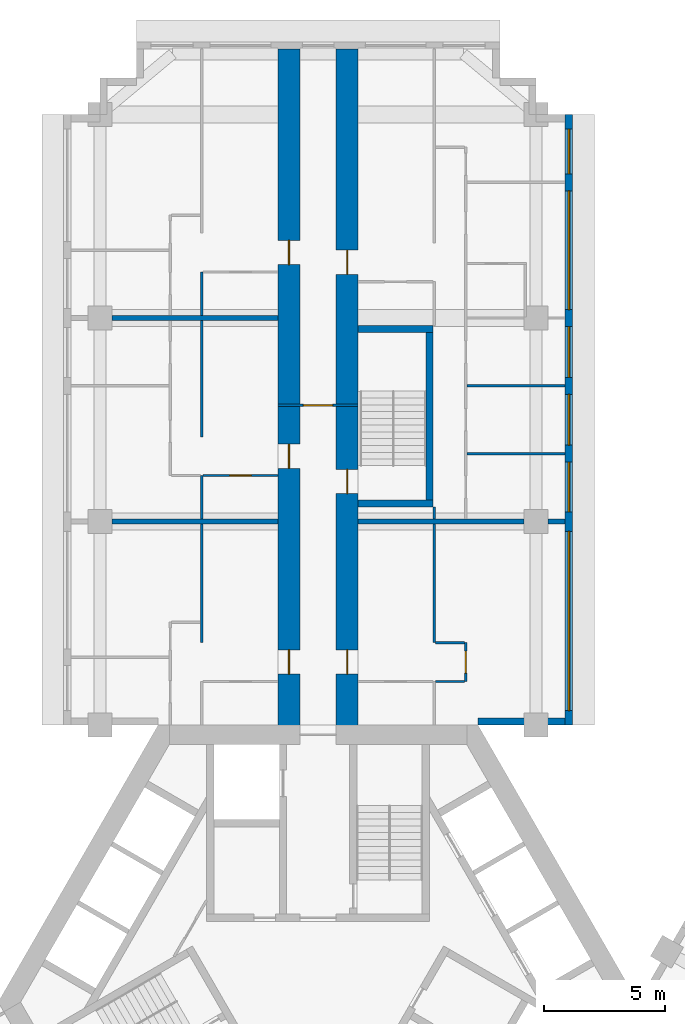
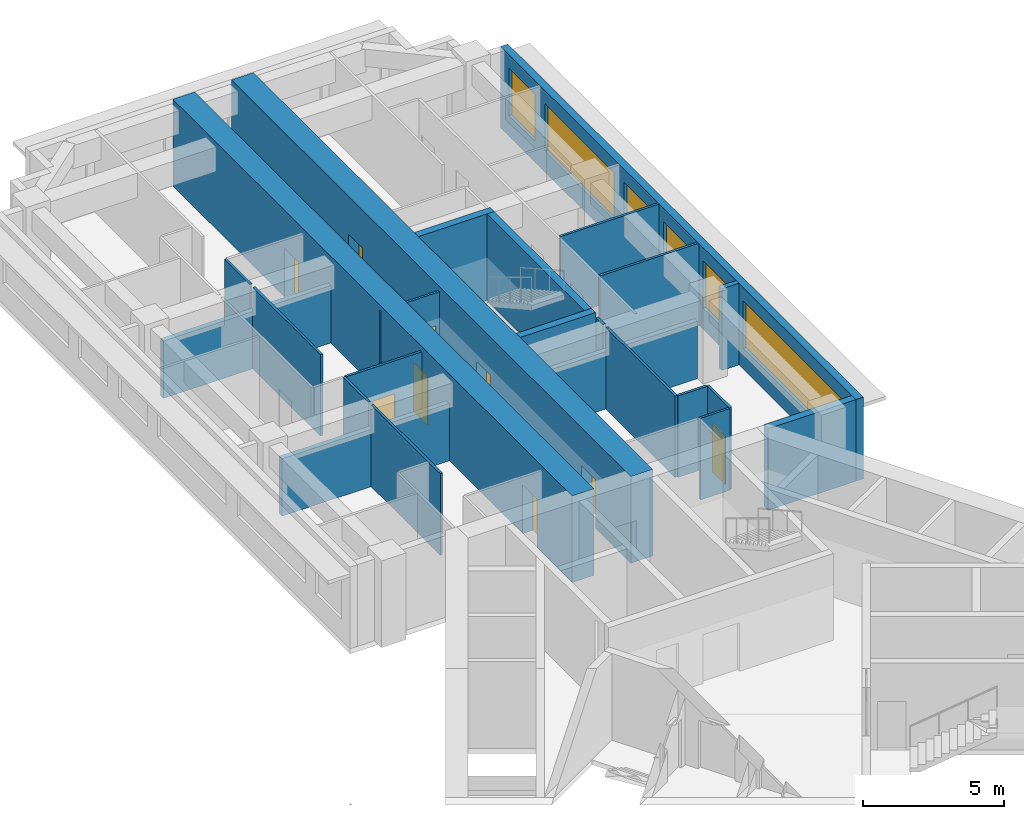
# One storey, part 9 of 12: 24 walls, 9 doors, 6 windows, 15 openings.
"""IFC4 building model written with IfcOpenShell, lengths in metres."""

import ifcopenshell
import ifcopenshell.guid

model = None  # the IFC model being written
_history = None  # IfcOwnerHistory: only IFC2X3 demands one
_inside = {}  # id of a spatial element -> (the spatial element, [elements in it])
_under = {}  # id of a project, library or spatial element -> (it, [spatial elements below it])
_declared = {}  # id of a project -> (the project, [libraries it declares])
_typed = {}  # id of a type object -> (the type object, [elements of that type])
_made_of = {}  # id of a material, layer set ... -> (it, [elements and type objects made of it])


def new_model(schema):
    """Start an empty IFC model of exactly this schema.

    Asked for "IFC4X3", IfcOpenShell would pick the latest addendum, in which some entities
    have other attributes; the version numbers below select the first issue.
    IFC2X3 requires an IfcOwnerHistory on every rooted entity: one is made here for all.
    """
    global model, _history
    if schema == "IFC4X3":
        model = ifcopenshell.file(schema_version=(4, 3, 0, 0))
    else:
        model = ifcopenshell.file(schema=schema)
    _inside.clear()
    _under.clear()
    _declared.clear()
    _typed.clear()
    _made_of.clear()
    _history = None
    if model.schema == "IFC2X3":
        org = make("IfcOrganization", Name="unknown")
        user = make(
            "IfcPersonAndOrganization",
            ThePerson=make("IfcPerson", FamilyName="unknown"),
            TheOrganization=org,
        )
        app = make(
            "IfcApplication",
            ApplicationDeveloper=org,
            Version="unknown",
            ApplicationFullName="unknown",
            ApplicationIdentifier="unknown",
        )
        _history = make(
            "IfcOwnerHistory",
            OwningUser=user,
            OwningApplication=app,
            ChangeAction="ADDED",
            CreationDate=0,
        )
    return model


def make(cls, **values):
    """One entity of the class cls with the attributes given. An attribute that is None is left unset."""
    return model.create_entity(
        cls, **{name: value for name, value in values.items() if value is not None}
    )


def rooted(cls, **values):
    """An entity with a GlobalId (a new one), such as an element, a storey or a relation."""
    return make(cls, GlobalId=ifcopenshell.guid.new(), OwnerHistory=_history, **values)


def si_unit(unit_type, name, prefix=None):
    """IfcSIUnit, for example si_unit("LENGTHUNIT", "METRE", prefix="MILLI")."""
    return make("IfcSIUnit", UnitType=unit_type, Prefix=prefix, Name=name)


def assignment(units):
    """IfcUnitAssignment: the units of a project."""
    return None if units is None else make("IfcUnitAssignment", Units=units)


def point(xyz):
    """IfcCartesianPoint."""
    return None if xyz is None else make("IfcCartesianPoint", Coordinates=xyz)


def direction(xyz):
    """IfcDirection."""
    return None if xyz is None else make("IfcDirection", DirectionRatios=xyz)


def frame(location, z_axis=None, x_axis=None):
    """IfcAxis2Placement3D, a coordinate frame: its origin and axes. An axis left out is left unset."""
    return make(
        "IfcAxis2Placement3D",
        Location=point(location),
        Axis=direction(z_axis),
        RefDirection=direction(x_axis),
    )


def frame_2d(location, x_axis=None):
    """IfcAxis2Placement2D, a coordinate frame in the plane: its origin and x axis."""
    return make(
        "IfcAxis2Placement2D", Location=point(location), RefDirection=direction(x_axis)
    )


def origin():
    """The frame at (0, 0, 0) with its axes left unset."""
    return frame((0.0, 0.0, 0.0))


def place(relative_to, where):
    """IfcLocalPlacement: puts the frame where relative to a parent placement (None: the world)."""
    return make(
        "IfcLocalPlacement", PlacementRelTo=relative_to, RelativePlacement=where
    )


def context(
    kind, dimensions, precision=None, world=None, true_north=None, identifier=None
):
    """IfcGeometricRepresentationContext, for example the 3D "Model" context."""
    return make(
        "IfcGeometricRepresentationContext",
        ContextIdentifier=identifier,
        ContextType=kind,
        CoordinateSpaceDimension=dimensions,
        Precision=precision,
        WorldCoordinateSystem=world,
        TrueNorth=true_north,
    )


def subcontext(parent, identifier, kind, view, scale=None):
    """IfcGeometricRepresentationSubContext, for example "Body" below "Model"."""
    return make(
        "IfcGeometricRepresentationSubContext",
        ContextIdentifier=identifier,
        ContextType=kind,
        ParentContext=parent,
        TargetScale=scale,
        TargetView=view,
    )


def project(units=None, contexts=None):
    """IfcProject with its units and contexts."""
    return rooted(
        "IfcProject",
        Name="project",
        RepresentationContexts=contexts,
        UnitsInContext=assignment(units),
    )


def spatial(cls, under=None, at=None, **own):
    """A site, building, storey or space (cls), placed at a placement, below another one or the project."""
    s = rooted(cls, ObjectPlacement=at, **own)
    if under is not None:
        _under.setdefault(under.id(), (under, []))[1].append(s)
    return s


def profile(cls, at=None, kind="AREA", **sizes):
    """A parametric profile (cls). Its sizes go by their IFC names, for example OverallWidth=200.0."""
    return make(cls, ProfileType=kind, Position=at, **sizes)


def rectangle(**sizes):
    """IfcRectangleProfileDef."""
    return profile("IfcRectangleProfileDef", **sizes)


def extrude(swept, where, along, depth):
    """IfcExtrudedAreaSolid: the profile swept, set in the frame where, extruded along a direction by depth."""
    return make(
        "IfcExtrudedAreaSolid",
        SweptArea=swept,
        Position=where,
        ExtrudedDirection=direction(along),
        Depth=depth,
    )


def shape(context_of_items, identifier, shape_type, items):
    """IfcShapeRepresentation: the items that make up one representation, for example the "Body"."""
    return make(
        "IfcShapeRepresentation",
        ContextOfItems=context_of_items,
        RepresentationIdentifier=identifier,
        RepresentationType=shape_type,
        Items=items,
    )


def material(Name=None, Category=None):
    """IfcMaterial."""
    return make("IfcMaterial", Name=Name, Category=Category)


def layer(
    of_material, thickness, ventilated=None, Name=None, Category=None, Priority=None
):
    """IfcMaterialLayer: one layer of a wall or slab, of a material (None: an air gap)."""
    return make(
        "IfcMaterialLayer",
        Material=of_material,
        LayerThickness=thickness,
        IsVentilated=ventilated,
        Name=Name,
        Category=Category,
        Priority=Priority,
    )


def layer_set(layers, Name=None):
    """IfcMaterialLayerSet."""
    return make("IfcMaterialLayerSet", MaterialLayers=layers, LayerSetName=Name)


def made_of(thing, what):
    """Note that an element or type object is made of a material, layer set ...; save() writes the relation."""
    if what is not None:
        _made_of.setdefault(what.id(), (what, []))[1].append(thing)
    return thing


def type_object(cls, material=None, **own):
    """A type object (cls), such as IfcWallType, which elements share."""
    return made_of(rooted(cls, **own), material)


def element(
    cls,
    number,
    at=None,
    inside=None,
    cuts=None,
    type_object=None,
    material=None,
    context=None,
    identifier="Body",
    shape_type=None,
    held_by="IfcProductDefinitionShape",
    body=None,
    shapes=None,
    **own,
):
    """One element of the class cls, such as IfcWall. Its Tag is "e" and its number.

    at: its placement. inside: the storey or other place that contains it. cuts: it is an
    opening in that element (IfcRelVoidsElement). A single representation is given by context,
    identifier, shape_type and body (its items); several are given by shapes. held_by: the class
    of the entity that holds the representations. save() writes the other relations.
    """
    e = rooted(cls, Tag="e%d" % number, ObjectPlacement=at, **own)
    if body is not None:
        shapes = [shape(context, identifier, shape_type, body)]
    if shapes is not None:
        e.Representation = make(held_by, Representations=shapes)
    if inside is not None:
        _inside.setdefault(inside.id(), (inside, []))[1].append(e)
    if cuts is not None:
        rooted(
            "IfcRelVoidsElement", RelatingBuildingElement=cuts, RelatedOpeningElement=e
        )
    if type_object is not None:
        _typed.setdefault(type_object.id(), (type_object, []))[1].append(e)
    return made_of(e, material)


def fill(opening, filler):
    """IfcRelFillsElement: the door or window that sits in an opening."""
    return rooted(
        "IfcRelFillsElement",
        RelatingOpeningElement=opening,
        RelatedBuildingElement=filler,
    )


def aggregate(whole, parts):
    """IfcRelAggregates: a whole, such as a stair, and the parts it consists of."""
    return rooted("IfcRelAggregates", RelatingObject=whole, RelatedObjects=parts)


def save(model, path):
    """Write the relations noted so far, then the file.

    IfcRelAggregates (storeys below a building ...), IfcRelContainedInSpatialStructure (elements
    in a storey), IfcRelDefinesByType, IfcRelAssociatesMaterial and IfcRelDeclares: one each for
    every whole, place, type object, material and project.
    """
    for whole, parts in _under.values():
        aggregate(whole, parts)
    for where, things in _inside.values():
        rooted(
            "IfcRelContainedInSpatialStructure",
            RelatedElements=things,
            RelatingStructure=where,
        )
    for kind, things in _typed.values():
        rooted("IfcRelDefinesByType", RelatedObjects=things, RelatingType=kind)
    for what, things in _made_of.values():
        rooted("IfcRelAssociatesMaterial", RelatedObjects=things, RelatingMaterial=what)
    for by, libraries in _declared.values():
        rooted("IfcRelDeclares", RelatingContext=by, RelatedDefinitions=libraries)
    model.write(path)


model = new_model("IFC4")

# Units and contexts
model_context = context("Model", 3, precision=1e-05, world=origin(), true_north=direction((0.0, 1.0)))
body_context = subcontext(model_context, "Body", "Model", "MODEL_VIEW")
ifc_project = project(units=[si_unit("LENGTHUNIT", "METRE"), si_unit("AREAUNIT", "SQUARE_METRE"), si_unit("VOLUMEUNIT", "CUBIC_METRE"), si_unit("PLANEANGLEUNIT", "RADIAN"), si_unit("MASSUNIT", "GRAM", prefix="KILO")], contexts=[model_context])

# Site, building, storey
site_placement = place(None, origin())
site = spatial("IfcSite", under=ifc_project, at=site_placement, CompositionType="ELEMENT")
building_placement = place(site_placement, origin())
building = spatial("IfcBuilding", under=site, at=building_placement, Name="Impinga Residences", CompositionType="ELEMENT")
storey_placement = place(building_placement, frame((0.0, 0.0, 162.25)))
storey = spatial("IfcBuildingStorey", under=building, at=storey_placement, Name="L40", CompositionType="ELEMENT", Elevation=162.25)

# Wall, openings, doors
ifc_material_1 = material(Name="Concrete C60/75", Category="concrete")
ifc_layer_1 = layer(ifc_material_1, 0.89990234375)
ifc_layer_set_1 = layer_set([ifc_layer_1], Name="Concrete C60/75")
wall_type_1 = type_object("IfcWallType", Name="BW2 corridor buttress wall, L24 to L44 900", PredefinedType="SHEAR", material=ifc_layer_set_1)
wall_1_placement = place(storey_placement, frame((-1.199951171875, 11.031494140625, 0.0), z_axis=(0.0, 0.0, 1.0), x_axis=(0.0, 1.0, 0.0)))
wall_1 = element("IfcWall", 1, at=wall_1_placement, inside=storey, type_object=wall_type_1, Name="Corridor wall BW2 NC L40", PredefinedType="SHEAR", context=body_context, shape_type="SweptSolid", body=[
    extrude(rectangle(XDim=28.300048828125, YDim=0.89990234375, at=frame_2d((14.14990234375, 0.0))), origin(), (0.0, 0.0, 1.0), 3.75),
])
opening_1_placement = place(wall_1_placement, frame((2.5, 0.0, 0.0)))
opening_1 = element("IfcOpeningElement", 2, at=opening_1_placement, cuts=wall_1, Name="Opening D1", PredefinedType="OPENING", context=body_context, shape_type="SweptSolid", body=[
    extrude(rectangle(XDim=1.0, YDim=2.10009765625, at=frame_2d((0.5, 1.050048828125))), frame((0.0, 0.4599609375, 0.0), z_axis=(0.0, -1.0, 0.0), x_axis=(1.0, 0.0, 0.0)), (0.0, 0.0, 1.0), 0.919921875),
])
opening_2_placement = place(wall_1_placement, frame((11.0, 0.0, 0.0)))
opening_2 = element("IfcOpeningElement", 3, at=opening_2_placement, cuts=wall_1, Name="Opening D1", PredefinedType="OPENING", context=body_context, shape_type="SweptSolid", body=[
    extrude(rectangle(XDim=1.0, YDim=2.10009765625, at=frame_2d((0.5, 1.050048828125))), frame((0.0, 0.4599609375, 0.0), z_axis=(0.0, -1.0, 0.0), x_axis=(1.0, 0.0, 0.0)), (0.0, 0.0, 1.0), 0.919921875),
])
opening_3_placement = place(wall_1_placement, frame((19.39990234375, 0.0, 0.0)))
opening_3 = element("IfcOpeningElement", 4, at=opening_3_placement, cuts=wall_1, Name="Opening D1", PredefinedType="OPENING", context=body_context, shape_type="SweptSolid", body=[
    extrude(rectangle(XDim=1.0, YDim=2.10009765625, at=frame_2d((0.5, 1.050048828125))), frame((0.0, 0.4599609375, 0.0), z_axis=(0.0, -1.0, 0.0), x_axis=(1.0, 0.0, 0.0)), (0.0, 0.0, 1.0), 0.919921875),
])
ifc_material_2 = material(Name="Timber door set", Category="wood")
door_type_1 = type_object("IfcDoorType", Name="D1 apartment entrance door 1000x2100", OperationType="SINGLE_SWING_LEFT", PredefinedType="DOOR", material=ifc_material_2)
door_1_placement = place(opening_1_placement, origin())
door_1 = element("IfcDoor", 5, at=door_1_placement, inside=storey, type_object=door_type_1, Name="Apartment L40-NA1 entrance", OperationType="SINGLE_SWING_LEFT", OverallHeight=2.10009765625, OverallWidth=1.0, PredefinedType="DOOR", context=body_context, shape_type="SweptSolid", body=[
    extrude(rectangle(XDim=1.0, YDim=2.10009765625, at=frame_2d((0.5, 1.050048828125))), frame((0.0, 0.02490234375, 0.0), z_axis=(0.0, -1.0, 0.0), x_axis=(1.0, 0.0, 0.0)), (0.0, 0.0, 1.0), 0.050048828125),
])
fill(opening_1, door_1)
door_2_placement = place(opening_2_placement, origin())
door_2 = element("IfcDoor", 6, at=door_2_placement, inside=storey, type_object=door_type_1, Name="Apartment L40-NA2 entrance", OperationType="SINGLE_SWING_LEFT", OverallHeight=2.10009765625, OverallWidth=1.0, PredefinedType="DOOR", context=body_context, shape_type="SweptSolid", body=[
    extrude(rectangle(XDim=1.0, YDim=2.10009765625, at=frame_2d((0.5, 1.050048828125))), frame((0.0, 0.02490234375, 0.0), z_axis=(0.0, -1.0, 0.0), x_axis=(1.0, 0.0, 0.0)), (0.0, 0.0, 1.0), 0.050048828125),
])
fill(opening_2, door_2)
door_3_placement = place(opening_3_placement, origin())
door_3 = element("IfcDoor", 7, at=door_3_placement, inside=storey, type_object=door_type_1, Name="Apartment L40-NA3 entrance", OperationType="SINGLE_SWING_RIGHT", OverallHeight=2.10009765625, OverallWidth=1.0, PredefinedType="DOOR", context=body_context, shape_type="SweptSolid", body=[
    extrude(rectangle(XDim=1.0, YDim=2.10009765625, at=frame_2d((0.5, 1.050048828125))), frame((0.0, 0.02490234375, 0.0), z_axis=(0.0, -1.0, 0.0), x_axis=(1.0, 0.0, 0.0)), (0.0, 0.0, 1.0), 0.050048828125),
])
fill(opening_3, door_3)

wall_2_placement = place(storey_placement, frame((1.199951171875, 11.031494140625, 0.0), z_axis=(0.0, 0.0, 1.0), x_axis=(0.0, 1.0, 0.0)))
wall_2 = element("IfcWall", 8, at=wall_2_placement, inside=storey, type_object=wall_type_1, Name="Corridor wall BW2 ND L40", PredefinedType="SHEAR", context=body_context, shape_type="SweptSolid", body=[
    extrude(rectangle(XDim=28.300048828125, YDim=0.89990234375, at=frame_2d((14.14990234375, 0.0))), origin(), (0.0, 0.0, 1.0), 3.75),
])
opening_4_placement = place(wall_2_placement, frame((9.949951171875, 0.0, 0.0)))
opening_4 = element("IfcOpeningElement", 9, at=opening_4_placement, cuts=wall_2, Name="Opening D5", PredefinedType="OPENING", context=body_context, shape_type="SweptSolid", body=[
    extrude(rectangle(XDim=1.0, YDim=2.10009765625, at=frame_2d((0.5, 1.050048828125))), frame((0.0, 0.4599609375, 0.0), z_axis=(0.0, -1.0, 0.0), x_axis=(1.0, 0.0, 0.0)), (0.0, 0.0, 1.0), 0.919921875),
])
opening_5_placement = place(wall_2_placement, frame((2.5, 0.0, 0.0)))
opening_5 = element("IfcOpeningElement", 10, at=opening_5_placement, cuts=wall_2, Name="Opening D1", PredefinedType="OPENING", context=body_context, shape_type="SweptSolid", body=[
    extrude(rectangle(XDim=1.0, YDim=2.10009765625, at=frame_2d((0.5, 1.050048828125))), frame((0.0, 0.4599609375, 0.0), z_axis=(0.0, -1.0, 0.0), x_axis=(1.0, 0.0, 0.0)), (0.0, 0.0, 1.0), 0.919921875),
])
opening_6_placement = place(wall_2_placement, frame((19.0, 0.0, 0.0)))
opening_6 = element("IfcOpeningElement", 11, at=opening_6_placement, cuts=wall_2, Name="Opening D1", PredefinedType="OPENING", context=body_context, shape_type="SweptSolid", body=[
    extrude(rectangle(XDim=1.0, YDim=2.10009765625, at=frame_2d((0.5, 1.050048828125))), frame((0.0, 0.4599609375, 0.0), z_axis=(0.0, -1.0, 0.0), x_axis=(1.0, 0.0, 0.0)), (0.0, 0.0, 1.0), 0.919921875),
])
door_4_placement = place(opening_5_placement, origin())
door_4 = element("IfcDoor", 12, at=door_4_placement, inside=storey, type_object=door_type_1, Name="Apartment L40-NF1 entrance", OperationType="SINGLE_SWING_LEFT", OverallHeight=2.10009765625, OverallWidth=1.0, PredefinedType="DOOR", context=body_context, shape_type="SweptSolid", body=[
    extrude(rectangle(XDim=1.0, YDim=2.10009765625, at=frame_2d((0.5, 1.050048828125))), frame((0.0, 0.02490234375, 0.0), z_axis=(0.0, -1.0, 0.0), x_axis=(1.0, 0.0, 0.0)), (0.0, 0.0, 1.0), 0.050048828125),
])
fill(opening_5, door_4)
door_5_placement = place(opening_6_placement, origin())
door_5 = element("IfcDoor", 13, at=door_5_placement, inside=storey, type_object=door_type_1, Name="Apartment L40-NF2 entrance", OperationType="SINGLE_SWING_RIGHT", OverallHeight=2.10009765625, OverallWidth=1.0, PredefinedType="DOOR", context=body_context, shape_type="SweptSolid", body=[
    extrude(rectangle(XDim=1.0, YDim=2.10009765625, at=frame_2d((0.5, 1.050048828125))), frame((0.0, 0.02490234375, 0.0), z_axis=(0.0, -1.0, 0.0), x_axis=(1.0, 0.0, 0.0)), (0.0, 0.0, 1.0), 0.050048828125),
])
fill(opening_6, door_5)
door_type_2 = type_object("IfcDoorType", Name="D5 stair door 1000x2100", OperationType="SINGLE_SWING_LEFT", PredefinedType="DOOR", material=ifc_material_2)
door_6_placement = place(opening_4_placement, origin())
door_6 = element("IfcDoor", 14, at=door_6_placement, inside=storey, type_object=door_type_2, Name="Wing stair door N", OperationType="SINGLE_SWING_LEFT", OverallHeight=2.10009765625, OverallWidth=1.0, PredefinedType="DOOR", context=body_context, shape_type="SweptSolid", body=[
    extrude(rectangle(XDim=1.0, YDim=2.10009765625, at=frame_2d((0.5, 1.050048828125))), frame((0.0, 0.02490234375, 0.0), z_axis=(0.0, -1.0, 0.0), x_axis=(1.0, 0.0, 0.0)), (0.0, 0.0, 1.0), 0.050048828125),
])
fill(opening_4, door_6)

# Wall, opening, door
ifc_material_3 = material(Name="Concrete blockwork", Category="masonry")
ifc_layer_2 = layer(ifc_material_3, 0.10009765625)
ifc_layer_set_2 = layer_set([ifc_layer_2], Name="CP1 core room partition, blockwork 100")
wall_type_2 = type_object("IfcWallType", Name="CP1 core room partition, blockwork 100", PredefinedType="PARTITIONING", material=ifc_layer_set_2)
wall_3_placement = place(storey_placement, frame((-1.64990234375, 24.631591796875, 0.0), z_axis=(0.0, 0.0, 1.0), x_axis=(1.0, 0.0, 0.0)))
wall_3 = element("IfcWall", 15, at=wall_3_placement, inside=storey, type_object=wall_type_2, Name="Core room partition, blockwork L40:N:PLB", PredefinedType="PARTITIONING", context=body_context, shape_type="SweptSolid", body=[
    extrude(rectangle(XDim=3.2998046875, YDim=0.10009765625, at=frame_2d((1.64990234375, 0.0))), origin(), (0.0, 0.0, 1.0), 3.530029296875),
])
opening_7_placement = place(wall_3_placement, frame((1.050048828125, 0.0, 0.0)))
opening_7 = element("IfcOpeningElement", 16, at=opening_7_placement, cuts=wall_3, Name="Opening D3", PredefinedType="OPENING", context=body_context, shape_type="SweptSolid", body=[
    extrude(rectangle(XDim=1.199951171875, YDim=2.10009765625, at=frame_2d((0.60009765625, 1.050048828125))), frame((0.0, 0.06005859375, 0.0), z_axis=(0.0, -1.0, 0.0), x_axis=(1.0, 0.0, 0.0)), (0.0, 0.0, 1.0), 0.1201171875),
])
door_type_3 = type_object("IfcDoorType", Name="D3 room door, leaf and a half 1200x2100", OperationType="DOUBLE_SWING_LEFT", PredefinedType="DOOR", material=ifc_material_2)
door_7_placement = place(opening_7_placement, origin())
door_7 = element("IfcDoor", 17, at=door_7_placement, inside=storey, type_object=door_type_3, Name="Private lobby door N", OperationType="DOUBLE_SWING_LEFT", OverallHeight=2.10009765625, OverallWidth=1.199951171875, PredefinedType="DOOR", context=body_context, shape_type="SweptSolid", body=[
    extrude(rectangle(XDim=1.199951171875, YDim=2.10009765625, at=frame_2d((0.60009765625, 1.050048828125))), frame((0.0, 0.02490234375, 0.0), z_axis=(0.0, -1.0, 0.0), x_axis=(1.0, 0.0, 0.0)), (0.0, 0.0, 1.0), 0.050048828125),
])
fill(opening_7, door_7)

# Wall, openings, windows
ifc_material_4 = material(Name="Terracotta rainscreen on blockwork", Category="masonry")
ifc_layer_3 = layer(ifc_material_4, 0.300048828125)
ifc_layer_set_3 = layer_set([ifc_layer_3], Name="EW1 external wall, terracotta rainscreen on blockwork 300")
wall_type_3 = type_object("IfcWallType", Name="EW1 external wall, terracotta rainscreen on blockwork 300", PredefinedType="SOLIDWALL", material=ifc_layer_set_3)
wall_4_placement = place(storey_placement, frame((10.35009765625, 36.631591796875, 0.0), z_axis=(0.0, 0.0, 1.0), x_axis=(0.0, -1.0, 0.0)))
wall_4 = element("IfcWall", 18, at=wall_4_placement, inside=storey, type_object=wall_type_3, Name="External wall EW1 L40", PredefinedType="SOLIDWALL", context=body_context, shape_type="SweptSolid", body=[
    extrude(rectangle(XDim=25.199951171875, YDim=0.300048828125, at=frame_2d((12.60009765625, 0.0))), origin(), (0.0, 0.0, 1.0), 3.530029296875),
])
opening_8_placement = place(wall_4_placement, frame((0.60009765625, 0.0, 0.89990234375)))
opening_8 = element("IfcOpeningElement", 19, at=opening_8_placement, cuts=wall_4, Name="Opening W15", PredefinedType="OPENING", context=body_context, shape_type="SweptSolid", body=[
    extrude(rectangle(XDim=1.85009765625, YDim=2.050048828125, at=frame_2d((0.925048828125, 1.02490234375))), frame((0.0, 0.159912109375, 0.0), z_axis=(0.0, -1.0, 0.0), x_axis=(1.0, 0.0, 0.0)), (0.0, 0.0, 1.0), 0.320068359375),
])
opening_9_placement = place(wall_4_placement, frame((3.14990234375, 0.0, 0.89990234375)))
opening_9 = element("IfcOpeningElement", 20, at=opening_9_placement, cuts=wall_4, Name="Opening W16", PredefinedType="OPENING", context=body_context, shape_type="SweptSolid", body=[
    extrude(rectangle(XDim=4.89990234375, YDim=2.050048828125, at=frame_2d((2.449951171875, 1.02490234375))), frame((0.0, 0.159912109375, 0.0), z_axis=(0.0, -1.0, 0.0), x_axis=(1.0, 0.0, 0.0)), (0.0, 0.0, 1.0), 0.320068359375),
])
opening_10_placement = place(wall_4_placement, frame((8.75, 0.0, 0.89990234375)))
opening_10 = element("IfcOpeningElement", 21, at=opening_10_placement, cuts=wall_4, Name="Opening W9", PredefinedType="OPENING", context=body_context, shape_type="SweptSolid", body=[
    extrude(rectangle(XDim=2.10009765625, YDim=2.050048828125, at=frame_2d((1.050048828125, 1.02490234375))), frame((0.0, 0.159912109375, 0.0), z_axis=(0.0, -1.0, 0.0), x_axis=(1.0, 0.0, 0.0)), (0.0, 0.0, 1.0), 0.320068359375),
])
opening_11_placement = place(wall_4_placement, frame((11.550048828125, 0.0, 0.89990234375)))
opening_11 = element("IfcOpeningElement", 22, at=opening_11_placement, cuts=wall_4, Name="Opening W9", PredefinedType="OPENING", context=body_context, shape_type="SweptSolid", body=[
    extrude(rectangle(XDim=2.10009765625, YDim=2.050048828125, at=frame_2d((1.050048828125, 1.02490234375))), frame((0.0, 0.159912109375, 0.0), z_axis=(0.0, -1.0, 0.0), x_axis=(1.0, 0.0, 0.0)), (0.0, 0.0, 1.0), 0.320068359375),
])
opening_12_placement = place(wall_4_placement, frame((14.35009765625, 0.0, 0.89990234375)))
opening_12 = element("IfcOpeningElement", 23, at=opening_12_placement, cuts=wall_4, Name="Opening W14", PredefinedType="OPENING", context=body_context, shape_type="SweptSolid", body=[
    extrude(rectangle(XDim=2.050048828125, YDim=2.050048828125, at=frame_2d((1.02490234375, 1.02490234375))), frame((0.0, 0.159912109375, 0.0), z_axis=(0.0, -1.0, 0.0), x_axis=(1.0, 0.0, 0.0)), (0.0, 0.0, 1.0), 0.320068359375),
])
opening_13_placement = place(wall_4_placement, frame((17.199951171875, 0.0, 0.89990234375)))
opening_13 = element("IfcOpeningElement", 24, at=opening_13_placement, cuts=wall_4, Name="Opening W12", PredefinedType="OPENING", context=body_context, shape_type="SweptSolid", body=[
    extrude(rectangle(XDim=7.39990234375, YDim=2.050048828125, at=frame_2d((3.699951171875, 1.02490234375))), frame((0.0, 0.159912109375, 0.0), z_axis=(0.0, -1.0, 0.0), x_axis=(1.0, 0.0, 0.0)), (0.0, 0.0, 1.0), 0.320068359375),
])
ifc_material_5 = material(Name="Aluminium window, clear double glazing", Category="aluminium")
window_type_1 = type_object("IfcWindowType", Name="W12 ribbon window 7400x2050", PartitioningType="SINGLE_PANEL", PredefinedType="WINDOW", material=ifc_material_5)
window_1_placement = place(opening_13_placement, origin())
window_1 = element("IfcWindow", 25, at=window_1_placement, inside=storey, type_object=window_type_1, Name="Window L40", OverallHeight=2.050048828125, OverallWidth=7.39990234375, PartitioningType="SINGLE_PANEL", PredefinedType="WINDOW", context=body_context, shape_type="SweptSolid", body=[
    extrude(rectangle(XDim=7.39990234375, YDim=2.050048828125, at=frame_2d((3.699951171875, 1.02490234375))), frame((0.0, 0.030029296875, 0.0), z_axis=(0.0, -1.0, 0.0), x_axis=(1.0, 0.0, 0.0)), (0.0, 0.0, 1.0), 0.06005859375),
])
fill(opening_13, window_1)
window_type_2 = type_object("IfcWindowType", Name="W14 ribbon window 2050x2050", PartitioningType="SINGLE_PANEL", PredefinedType="WINDOW", material=ifc_material_5)
window_2_placement = place(opening_12_placement, origin())
window_2 = element("IfcWindow", 26, at=window_2_placement, inside=storey, type_object=window_type_2, Name="Window L40", OverallHeight=2.050048828125, OverallWidth=2.050048828125, PartitioningType="SINGLE_PANEL", PredefinedType="WINDOW", context=body_context, shape_type="SweptSolid", body=[
    extrude(rectangle(XDim=2.050048828125, YDim=2.050048828125, at=frame_2d((1.02490234375, 1.02490234375))), frame((0.0, 0.030029296875, 0.0), z_axis=(0.0, -1.0, 0.0), x_axis=(1.0, 0.0, 0.0)), (0.0, 0.0, 1.0), 0.06005859375),
])
fill(opening_12, window_2)
window_type_3 = type_object("IfcWindowType", Name="W15 ribbon window 1850x2050", PartitioningType="SINGLE_PANEL", PredefinedType="WINDOW", material=ifc_material_5)
window_3_placement = place(opening_8_placement, origin())
window_3 = element("IfcWindow", 27, at=window_3_placement, inside=storey, type_object=window_type_3, Name="Window L40", OverallHeight=2.050048828125, OverallWidth=1.85009765625, PartitioningType="SINGLE_PANEL", PredefinedType="WINDOW", context=body_context, shape_type="SweptSolid", body=[
    extrude(rectangle(XDim=1.85009765625, YDim=2.050048828125, at=frame_2d((0.925048828125, 1.02490234375))), frame((0.0, 0.030029296875, 0.0), z_axis=(0.0, -1.0, 0.0), x_axis=(1.0, 0.0, 0.0)), (0.0, 0.0, 1.0), 0.06005859375),
])
fill(opening_8, window_3)
window_type_4 = type_object("IfcWindowType", Name="W16 ribbon window 4900x2050", PartitioningType="SINGLE_PANEL", PredefinedType="WINDOW", material=ifc_material_5)
window_4_placement = place(opening_9_placement, origin())
window_4 = element("IfcWindow", 28, at=window_4_placement, inside=storey, type_object=window_type_4, Name="Window L40", OverallHeight=2.050048828125, OverallWidth=4.89990234375, PartitioningType="SINGLE_PANEL", PredefinedType="WINDOW", context=body_context, shape_type="SweptSolid", body=[
    extrude(rectangle(XDim=4.89990234375, YDim=2.050048828125, at=frame_2d((2.449951171875, 1.02490234375))), frame((0.0, 0.030029296875, 0.0), z_axis=(0.0, -1.0, 0.0), x_axis=(1.0, 0.0, 0.0)), (0.0, 0.0, 1.0), 0.06005859375),
])
fill(opening_9, window_4)
window_type_5 = type_object("IfcWindowType", Name="W9 ribbon window 2100x2050", PartitioningType="SINGLE_PANEL", PredefinedType="WINDOW", material=ifc_material_5)
window_5_placement = place(opening_10_placement, origin())
window_5 = element("IfcWindow", 29, at=window_5_placement, inside=storey, type_object=window_type_5, Name="Window L40", OverallHeight=2.050048828125, OverallWidth=2.10009765625, PartitioningType="SINGLE_PANEL", PredefinedType="WINDOW", context=body_context, shape_type="SweptSolid", body=[
    extrude(rectangle(XDim=2.10009765625, YDim=2.050048828125, at=frame_2d((1.050048828125, 1.02490234375))), frame((0.0, 0.030029296875, 0.0), z_axis=(0.0, -1.0, 0.0), x_axis=(1.0, 0.0, 0.0)), (0.0, 0.0, 1.0), 0.06005859375),
])
fill(opening_10, window_5)
window_6_placement = place(opening_11_placement, origin())
window_6 = element("IfcWindow", 30, at=window_6_placement, inside=storey, type_object=window_type_5, Name="Window L40", OverallHeight=2.050048828125, OverallWidth=2.10009765625, PartitioningType="SINGLE_PANEL", PredefinedType="WINDOW", context=body_context, shape_type="SweptSolid", body=[
    extrude(rectangle(XDim=2.10009765625, YDim=2.050048828125, at=frame_2d((1.050048828125, 1.02490234375))), frame((0.0, 0.030029296875, 0.0), z_axis=(0.0, -1.0, 0.0), x_axis=(1.0, 0.0, 0.0)), (0.0, 0.0, 1.0), 0.06005859375),
])
fill(opening_11, window_6)

# Walls
wall_5_placement = place(storey_placement, frame((10.199951171875, 11.58154296875, 0.0), z_axis=(0.0, 0.0, 1.0), x_axis=(-1.0, 0.0, 0.0)))
element("IfcWall", 31, at=wall_5_placement, inside=storey, type_object=wall_type_3, Name="External wall EW1 L40", PredefinedType="SOLIDWALL", context=body_context, shape_type="SweptSolid", body=[
    extrude(rectangle(XDim=3.599853515625, YDim=0.300048828125, at=frame_2d((1.7998046875, 0.0))), origin(), (0.0, 0.0, 1.0), 3.530029296875),
])
ifc_material_6 = material(Name="Gypsum board on steel studs", Category="steel")
ifc_layer_4 = layer(ifc_material_6, 0.10009765625)
ifc_layer_set_4 = layer_set([ifc_layer_4], Name="Gypsum board on steel studs")
wall_type_4 = type_object("IfcWallType", Name="IP1 partition 100", PredefinedType="PARTITIONING", material=ifc_layer_set_4)
wall_6_placement = place(storey_placement, frame((-4.800048828125, 14.83154296875, 0.0), z_axis=(0.0, 0.0, 1.0), x_axis=(0.0, 1.0, 0.0)))
element("IfcWall", 32, at=wall_6_placement, inside=storey, type_object=wall_type_4, Name="Partition L40-NA1:DIV1", PredefinedType="PARTITIONING", context=body_context, shape_type="SweptSolid", body=[
    extrude(rectangle(XDim=4.89990234375, YDim=0.10009765625, at=frame_2d((2.449951171875, 0.0))), origin(), (0.0, 0.0, 1.0), 3.530029296875),
])
wall_7_placement = place(storey_placement, frame((-4.800048828125, 19.931640625, 0.0), z_axis=(0.0, 0.0, 1.0), x_axis=(0.0, 1.0, 0.0)))
element("IfcWall", 33, at=wall_7_placement, inside=storey, type_object=wall_type_4, Name="Partition L40-NA2:DIV0", PredefinedType="PARTITIONING", context=body_context, shape_type="SweptSolid", body=[
    extrude(rectangle(XDim=1.7998046875, YDim=0.10009765625, at=frame_2d((0.89990234375, 0.0))), origin(), (0.0, 0.0, 1.0), 3.530029296875),
])
wall_8_placement = place(storey_placement, frame((-4.800048828125, 23.33154296875, 0.0), z_axis=(0.0, 0.0, 1.0), x_axis=(0.0, 1.0, 0.0)))
element("IfcWall", 34, at=wall_8_placement, inside=storey, type_object=wall_type_4, Name="Partition L40-NA2:DIV1", PredefinedType="PARTITIONING", context=body_context, shape_type="SweptSolid", body=[
    extrude(rectangle(XDim=4.800048828125, YDim=0.10009765625, at=frame_2d((2.39990234375, 0.0))), origin(), (0.0, 0.0, 1.0), 3.530029296875),
])

# Wall, opening, door
wall_9_placement = place(storey_placement, frame((-1.64990234375, 21.7314453125, 0.0), z_axis=(0.0, 0.0, 1.0), x_axis=(-1.0, 0.0, 0.0)))
wall_9 = element("IfcWall", 35, at=wall_9_placement, inside=storey, type_object=wall_type_4, Name="Partition L40-NA2:IB1", PredefinedType="PARTITIONING", context=body_context, shape_type="SweptSolid", body=[
    extrude(rectangle(XDim=3.10009765625, YDim=0.10009765625, at=frame_2d((1.550048828125, 0.0))), origin(), (0.0, 0.0, 1.0), 3.530029296875),
])
opening_14_placement = place(wall_9_placement, frame((1.10009765625, 0.0, 0.0)))
opening_14 = element("IfcOpeningElement", 36, at=opening_14_placement, cuts=wall_9, Name="Opening D2", PredefinedType="OPENING", context=body_context, shape_type="SweptSolid", body=[
    extrude(rectangle(XDim=0.89990234375, YDim=2.10009765625, at=frame_2d((0.449951171875, 1.050048828125))), frame((0.0, 0.06005859375, 0.0), z_axis=(0.0, -1.0, 0.0), x_axis=(1.0, 0.0, 0.0)), (0.0, 0.0, 1.0), 0.1201171875),
])
door_type_4 = type_object("IfcDoorType", Name="D2 internal door 900x2100", OperationType="SINGLE_SWING_LEFT", PredefinedType="DOOR", material=ifc_material_2)
door_8_placement = place(opening_14_placement, origin())
door_8 = element("IfcDoor", 37, at=door_8_placement, inside=storey, type_object=door_type_4, Name="Apartment L40-NA2 bathroom door", OperationType="SINGLE_SWING_LEFT", OverallHeight=2.10009765625, OverallWidth=0.89990234375, PredefinedType="DOOR", context=body_context, shape_type="SweptSolid", body=[
    extrude(rectangle(XDim=0.89990234375, YDim=2.10009765625, at=frame_2d((0.449951171875, 1.050048828125))), frame((0.0, 0.02490234375, 0.0), z_axis=(0.0, -1.0, 0.0), x_axis=(1.0, 0.0, 0.0)), (0.0, 0.0, 1.0), 0.050048828125),
])
fill(opening_14, door_8)

# Walls
wall_10_placement = place(storey_placement, frame((-4.800048828125, 28.33154296875, 0.0), z_axis=(0.0, 0.0, 1.0), x_axis=(0.0, 1.0, 0.0)))
element("IfcWall", 38, at=wall_10_placement, inside=storey, type_object=wall_type_4, Name="Partition L40-NA3:DIV0", PredefinedType="PARTITIONING", context=body_context, shape_type="SweptSolid", body=[
    extrude(rectangle(XDim=1.800048828125, YDim=0.10009765625, at=frame_2d((0.89990234375, 0.0))), origin(), (0.0, 0.0, 1.0), 3.530029296875),
])
wall_11_placement = place(storey_placement, frame((4.800048828125, 14.83154296875, 0.0), z_axis=(0.0, 0.0, 1.0), x_axis=(0.0, 1.0, 0.0)))
element("IfcWall", 39, at=wall_11_placement, inside=storey, type_object=wall_type_4, Name="Partition L40-NF1:DIV1", PredefinedType="PARTITIONING", context=body_context, shape_type="SweptSolid", body=[
    extrude(rectangle(XDim=4.89990234375, YDim=0.10009765625, at=frame_2d((2.449951171875, 0.0))), origin(), (0.0, 0.0, 1.0), 3.530029296875),
])

# Wall, opening, door
wall_12_placement = place(storey_placement, frame((6.10009765625, 13.2314453125, 0.0), z_axis=(0.0, 0.0, 1.0), x_axis=(0.0, 1.0, 0.0)))
wall_12 = element("IfcWall", 40, at=wall_12_placement, inside=storey, type_object=wall_type_4, Name="Partition L40-NF1:STRIP", PredefinedType="PARTITIONING", context=body_context, shape_type="SweptSolid", body=[
    extrude(rectangle(XDim=1.60009765625, YDim=0.10009765625, at=frame_2d((0.800048828125, 0.0))), origin(), (0.0, 0.0, 1.0), 3.530029296875),
])
opening_15_placement = place(wall_12_placement, frame((0.35009765625, 0.0, 0.0)))
opening_15 = element("IfcOpeningElement", 41, at=opening_15_placement, cuts=wall_12, Name="Opening D2", PredefinedType="OPENING", context=body_context, shape_type="SweptSolid", body=[
    extrude(rectangle(XDim=0.89990234375, YDim=2.10009765625, at=frame_2d((0.449951171875, 1.050048828125))), frame((0.0, 0.06005859375, 0.0), z_axis=(0.0, -1.0, 0.0), x_axis=(1.0, 0.0, 0.0)), (0.0, 0.0, 1.0), 0.1201171875),
])
door_9_placement = place(opening_15_placement, origin())
door_9 = element("IfcDoor", 42, at=door_9_placement, inside=storey, type_object=door_type_4, Name="Apartment L40-NF1 room door", OperationType="SINGLE_SWING_LEFT", OverallHeight=2.10009765625, OverallWidth=0.89990234375, PredefinedType="DOOR", context=body_context, shape_type="SweptSolid", body=[
    extrude(rectangle(XDim=0.89990234375, YDim=2.10009765625, at=frame_2d((0.449951171875, 1.050048828125))), frame((0.0, 0.02490234375, 0.0), z_axis=(0.0, -1.0, 0.0), x_axis=(1.0, 0.0, 0.0)), (0.0, 0.0, 1.0), 0.050048828125),
])
fill(opening_15, door_9)

# Walls
for number, where, z_axis, x_axis, name in (
    (43, (4.85009765625, 13.2314453125, 0.0), (0.0, 0.0, 1.0), (1.0, 0.0, 0.0), "Partition L40-NF1:SE0"),
    (44, (4.85009765625, 14.83154296875, 0.0), (0.0, 0.0, 1.0), (1.0, 0.0, 0.0), "Partition L40-NF1:SE1"),
):
    element("IfcWall", number, at=place(storey_placement, frame(where, z_axis=z_axis, x_axis=x_axis)), inside=storey, type_object=wall_type_4, Name=name, PredefinedType="PARTITIONING", context=body_context, shape_type="SweptSolid", body=[
        extrude(rectangle(XDim=1.199951171875, YDim=0.10009765625, at=frame_2d((0.60009765625, 0.0))), origin(), (0.0, 0.0, 1.0), 3.530029296875),
    ])
wall_13_placement = place(storey_placement, frame((4.800048828125, 19.931640625, 0.0), z_axis=(0.0, 0.0, 1.0), x_axis=(0.0, 1.0, 0.0)))
element("IfcWall", 45, at=wall_13_placement, inside=storey, type_object=wall_type_4, Name="Partition L40-NF2:DIV0", PredefinedType="PARTITIONING", context=body_context, shape_type="SweptSolid", body=[
    extrude(rectangle(XDim=0.5, YDim=0.10009765625, at=frame_2d((0.25, 0.0))), origin(), (0.0, 0.0, 1.0), 3.530029296875),
])
for number, where, z_axis, x_axis, name in (
    (46, (6.14990234375, 22.631591796875, 0.0), (0.0, 0.0, 1.0), (1.0, 0.0, 0.0), "Partition L40-NF2:OB1"),
    (47, (6.14990234375, 25.431640625, 0.0), (0.0, 0.0, 1.0), (1.0, 0.0, 0.0), "Partition L40-NF2:OB2"),
):
    element("IfcWall", number, at=place(storey_placement, frame(where, z_axis=z_axis, x_axis=x_axis)), inside=storey, type_object=wall_type_4, Name=name, PredefinedType="PARTITIONING", context=body_context, shape_type="SweptSolid", body=[
        extrude(rectangle(XDim=4.050048828125, YDim=0.10009765625, at=frame_2d((2.02490234375, 0.0))), origin(), (0.0, 0.0, 1.0), 3.530029296875),
    ])
ifc_layer_5 = layer(ifc_material_3, 0.199951171875)
ifc_layer_set_5 = layer_set([ifc_layer_5], Name="PW1 party wall between apartments 200")
wall_type_5 = type_object("IfcWallType", Name="PW1 party wall between apartments 200", PredefinedType="SOLIDWALL", material=ifc_layer_set_5)
for number, where, z_axis, x_axis, name in (
    (48, (-1.64990234375, 19.83154296875, 0.0), (0.0, 0.0, 1.0), (-1.0, 0.0, 0.0), "Party wall between apartments L40-NA1:PARTY"),
    (49, (-1.64990234375, 28.2314453125, 0.0), (0.0, 0.0, 1.0), (-1.0, 0.0, 0.0), "Party wall between apartments L40-NA2:PARTY"),
    (50, (1.64990234375, 19.83154296875, 0.0), (0.0, 0.0, 1.0), (1.0, 0.0, 0.0), "Party wall between apartments L40-NF1:PARTY"),
):
    element("IfcWall", number, at=place(storey_placement, frame(where, z_axis=z_axis, x_axis=x_axis)), inside=storey, type_object=wall_type_5, Name=name, PredefinedType="SOLIDWALL", context=body_context, shape_type="SweptSolid", body=[
        extrude(rectangle(XDim=6.85009765625, YDim=0.199951171875, at=frame_2d((3.425048828125, 0.0))), origin(), (0.0, 0.0, 1.0), 2.47998046875),
    ])
wall_14_placement = place(storey_placement, frame((9.5, 19.83154296875, 0.0), z_axis=(0.0, 0.0, 1.0), x_axis=(1.0, 0.0, 0.0)))
element("IfcWall", 51, at=wall_14_placement, inside=storey, type_object=wall_type_5, Name="Party wall between apartments L40-NF1:PARTYb", PredefinedType="SOLIDWALL", context=body_context, shape_type="SweptSolid", body=[
    extrude(rectangle(XDim=0.699951171875, YDim=0.199951171875, at=frame_2d((0.35009765625, 0.0))), origin(), (0.0, 0.0, 1.0), 3.530029296875),
])
ifc_layer_6 = layer(ifc_material_1, 0.300048828125)
ifc_layer_set_6 = layer_set([ifc_layer_6], Name="Concrete C60/75")
wall_type_6 = type_object("IfcWallType", Name="SE1 wing stair enclosure wall 300", PredefinedType="SOLIDWALL", material=ifc_layer_set_6)
for number, where, z_axis, x_axis, name in (
    (52, (1.64990234375, 20.58154296875, 0.0), (0.0, 0.0, 1.0), (1.0, 0.0, 0.0), "Stair enclosure wall SE1 N END0 L40"),
    (53, (1.64990234375, 27.781494140625, 0.0), (0.0, 0.0, 1.0), (1.0, 0.0, 0.0), "Stair enclosure wall SE1 N END1 L40"),
):
    element("IfcWall", number, at=place(storey_placement, frame(where, z_axis=z_axis, x_axis=x_axis)), inside=storey, type_object=wall_type_6, Name=name, PredefinedType="SOLIDWALL", context=body_context, shape_type="SweptSolid", body=[
        extrude(rectangle(XDim=3.10009765625, YDim=0.300048828125, at=frame_2d((1.550048828125, 0.0))), origin(), (0.0, 0.0, 1.0), 3.75),
    ])
wall_15_placement = place(storey_placement, frame((4.60009765625, 20.7314453125, 0.0), z_axis=(0.0, 0.0, 1.0), x_axis=(0.0, 1.0, 0.0)))
element("IfcWall", 54, at=wall_15_placement, inside=storey, type_object=wall_type_6, Name="Stair enclosure wall SE1 N OUT L40", PredefinedType="SOLIDWALL", context=body_context, shape_type="SweptSolid", body=[
    extrude(rectangle(XDim=6.900146484375, YDim=0.300048828125, at=frame_2d((3.4501953125, 0.0))), origin(), (0.0, 0.0, 1.0), 3.75),
])

save(model, "model.ifc")
